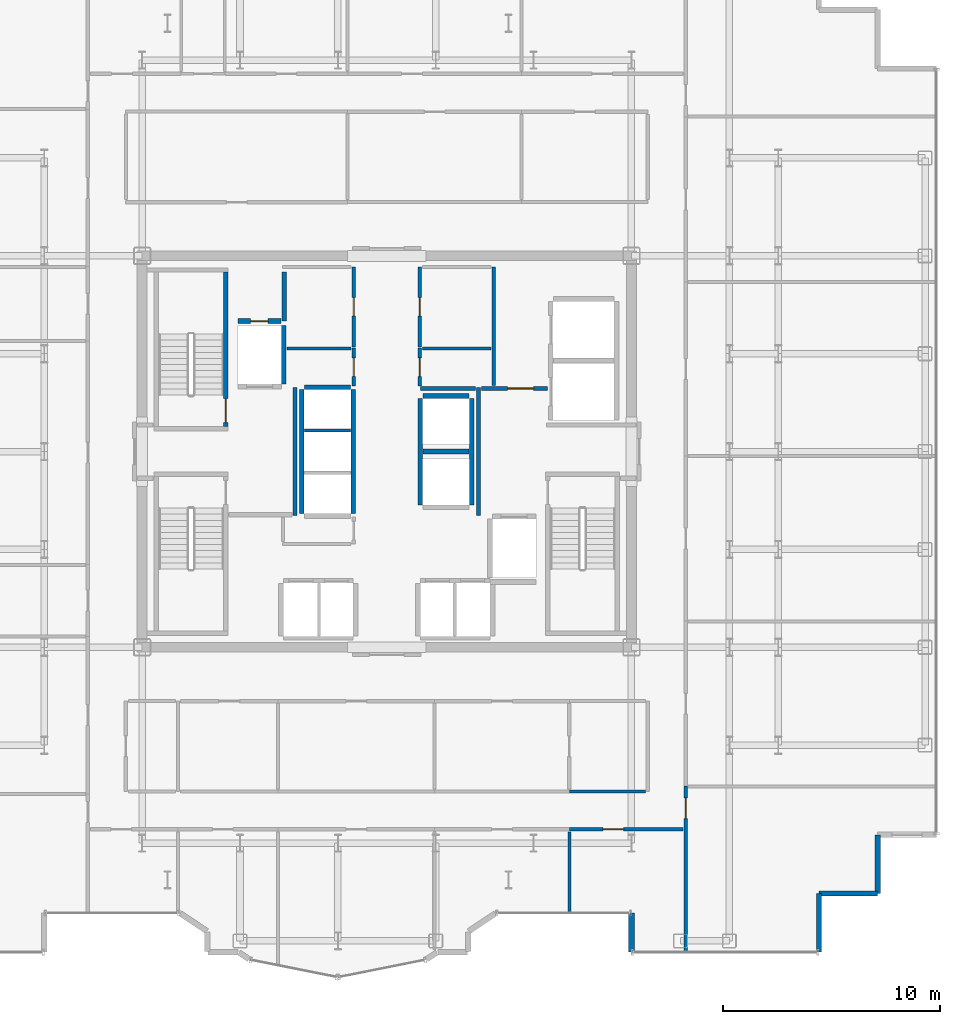
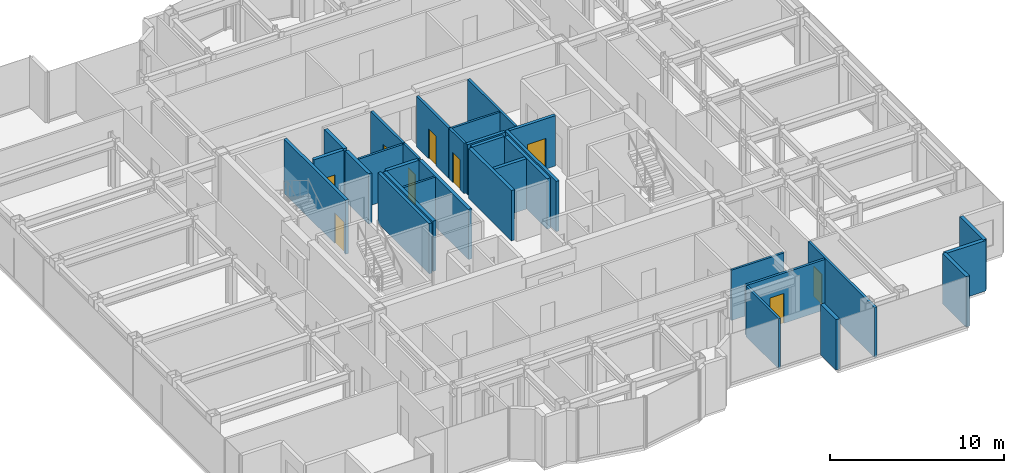
# One storey, part 16 of 20: 31 walls, 9 doors, 9 openings.
"""IFC4 building model written with IfcOpenShell, lengths in metres."""

from ifc_helpers import new_model, si_unit, direction, frame, frame_2d, origin, place, context, subcontext, project, spatial, rectangle, extrude, source, transform, mapped, material, layer, layer_set, type_object, element, fill, save


model = new_model("IFC4")

# Units and contexts
model_context = context("Model", 3, precision=1e-05, world=origin(), true_north=direction((0.0, 1.0)))
body_context = subcontext(model_context, "Body", "Model", "MODEL_VIEW")
ifc_project = project(units=[si_unit("LENGTHUNIT", "METRE"), si_unit("AREAUNIT", "SQUARE_METRE"), si_unit("VOLUMEUNIT", "CUBIC_METRE"), si_unit("PLANEANGLEUNIT", "RADIAN"), si_unit("MASSUNIT", "GRAM", prefix="KILO")], contexts=[model_context])

# Site, building, storey
site_placement = place(None, origin())
site = spatial("IfcSite", under=ifc_project, at=site_placement, CompositionType="ELEMENT")
building_placement = place(site_placement, origin())
building = spatial("IfcBuilding", under=site, at=building_placement, Name="Nefas-Gora Pilgrimage Tower", CompositionType="ELEMENT")
storey_placement = place(building_placement, frame((0.0, 0.0, 237.0)))
storey = spatial("IfcBuildingStorey", under=building, at=storey_placement, Name="L59", CompositionType="ELEMENT", Elevation=237.0)

# Walls
ifc_material_1 = material(Name="Precast concrete C40/50", Category="concrete")
ifc_layer_1 = layer(ifc_material_1, 0.260009765625)
ifc_layer_set_1 = layer_set([ifc_layer_1], Name="Precast concrete C40/50")
wall_type_1 = type_object("IfcWallType", Name="EW-PORTAL-260", PredefinedType="SOLIDWALL", material=ifc_layer_set_1)
shared_shape_1 = source(origin(), body_context, "Body", "SweptSolid", [
    extrude(rectangle(XDim=1.800048828125, YDim=0.260009765625, at=frame_2d((0.89990234375, 0.0))), origin(), (0.0, 0.0, 1.0), 3.550048828125),
])
wall_1_placement = place(storey_placement, frame((11.25, -21.219970703125, 0.0), z_axis=(0.0, 0.0, 1.0), x_axis=(0.0, -1.0, 0.0)))
element("IfcWall", 1, at=wall_1_placement, inside=storey, type_object=wall_type_1, Name="L59 Lobe Shoulder Precast Spandrel Pier 1", PredefinedType="SOLIDWALL", context=body_context, shape_type="MappedRepresentation", body=[
    mapped(shared_shape_1, transform((0.0, 0.0, 0.0), x_axis=(1.0, 0.0, 0.0), y_axis=(0.0, 1.0, 0.0), z_axis=(0.0, 0.0, 1.0), scale=1.0)),
])
ifc_material_2 = material(Name="Precast concrete C45/55", Category="concrete")
ifc_layer_2 = layer(ifc_material_2, 0.239990234375)
ifc_layer_set_2 = layer_set([ifc_layer_2], Name="Precast concrete C45/55")
wall_type_2 = type_object("IfcWallType", Name="EW-SERR-240", PredefinedType="SHEAR", material=ifc_layer_set_2)
shared_shape_2 = source(origin(), body_context, "Body", "SweptSolid", [
    extrude(rectangle(XDim=2.699951171875, YDim=0.239990234375, at=frame_2d((1.35009765625, 0.0))), origin(), (0.0, 0.0, 1.0), 3.550048828125),
])
for number, where, z_axis, x_axis, name in (
    (2, (19.8701171875, -23.02001953125, 0.0), (0.0, 0.0, 1.0), (0.0, 1.0, 0.0), "L59 Serrated Corner Shear Pier Wall 2"),
    (3, (19.8701171875, -20.320068359375, 0.0), (0.0, 0.0, 1.0), (1.0, 0.0, 0.0), "L59 Serrated Corner Shear Pier Wall 3"),
    (4, (22.570068359375, -20.320068359375, 0.0), (0.0, 0.0, 1.0), (0.0, 1.0, 0.0), "L59 Serrated Corner Shear Pier Wall 4"),
):
    element("IfcWall", number, at=place(storey_placement, frame(where, z_axis=z_axis, x_axis=x_axis)), inside=storey, type_object=wall_type_2, Name=name, PredefinedType="SHEAR", context=body_context, shape_type="MappedRepresentation", body=[
        mapped(shared_shape_2, transform((0.0, 0.0, 0.0), x_axis=(1.0, 0.0, 0.0), y_axis=(0.0, 1.0, 0.0), z_axis=(0.0, 0.0, 1.0), scale=1.0)),
    ])

# Wall, opening, door
ifc_material_3 = material(Name="Concrete C45/55", Category="concrete")
ifc_layer_3 = layer(ifc_material_3, 0.199951171875)
ifc_layer_set_3 = layer_set([ifc_layer_3], Name="Concrete C45/55")
wall_type_3 = type_object("IfcWallType", Name="IW-STAIR-200", PredefinedType="SOLIDWALL", material=ifc_layer_set_3)
shared_shape_3 = source(origin(), body_context, "Body", "SweptSolid", [
    extrude(rectangle(XDim=7.10009765625, YDim=0.199951171875, at=frame_2d((3.550048828125, 0.0))), origin(), (0.0, 0.0, 1.0), 3.800048828125),
])
wall_2_placement = place(storey_placement, frame((-7.39990234375, 1.14990234375, 0.0), z_axis=(0.0, 0.0, 1.0), x_axis=(0.0, 1.0, 0.0)))
wall_2 = element("IfcWall", 5, at=wall_2_placement, inside=storey, type_object=wall_type_3, Name="L59 Stairwell Shear Wall ST-01-left", PredefinedType="SOLIDWALL", context=body_context, shape_type="MappedRepresentation", body=[
    mapped(shared_shape_3, transform((0.0, 0.0, 0.0), x_axis=(1.0, 0.0, 0.0), y_axis=(0.0, 1.0, 0.0), z_axis=(0.0, 0.0, 1.0), scale=1.0)),
])
opening_1_placement = place(wall_2_placement, frame((0.179931640625, 0.0, 0.0)))
opening_1 = element("IfcOpeningElement", 6, at=opening_1_placement, cuts=wall_2, Name="Opening ID-ST1", PredefinedType="OPENING", context=body_context, shape_type="SweptSolid", body=[
    extrude(rectangle(XDim=1.10009765625, YDim=2.14990234375, at=frame_2d((0.550048828125, 1.074951171875))), frame((0.0, 0.10986328125, 0.0), z_axis=(0.0, -1.0, 0.0), x_axis=(1.0, 0.0, 0.0)), (0.0, 0.0, 1.0), 0.219970703125),
])
ifc_material_4 = material(Name="Painted galvanised steel fire stair door", Category="steel")
door_type_1 = type_object("IfcDoorType", Name="DR-INT-STAIR-1100", OperationType="NOTDEFINED", PredefinedType="DOOR", material=ifc_material_4)
shared_shape_4 = source(origin(), body_context, "Body", "SweptSolid", [
    extrude(rectangle(XDim=1.10009765625, YDim=2.14990234375, at=frame_2d((0.550048828125, 1.074951171875))), frame((0.0, 0.02490234375, 0.0), z_axis=(0.0, -1.0, 0.0), x_axis=(1.0, 0.0, 0.0)), (0.0, 0.0, 1.0), 0.050048828125),
])
door_1_placement = place(opening_1_placement, origin())
door_1 = element("IfcDoor", 7, at=door_1_placement, inside=storey, type_object=door_type_1, Name="L59 Protected Exit Stair Door ST-01", OperationType="SINGLE_SWING_LEFT", OverallHeight=2.14990234375, OverallWidth=1.10009765625, PredefinedType="DOOR", context=body_context, shape_type="MappedRepresentation", body=[
    mapped(shared_shape_4, transform((0.0, 0.0, 0.0), x_axis=(1.0, 0.0, 0.0), y_axis=(0.0, 1.0, 0.0), z_axis=(0.0, 0.0, 1.0), scale=1.0)),
])
fill(opening_1, door_1)

# Walls
ifc_material_5 = material(Name="Concrete C40/50", Category="concrete")
ifc_layer_4 = layer(ifc_material_5, 0.219970703125)
ifc_layer_set_4 = layer_set([ifc_layer_4], Name="Concrete C40/50")
wall_type_4 = type_object("IfcWallType", Name="IW-SHAFT-220", PredefinedType="SOLIDWALL", material=ifc_layer_set_4)
shared_shape_5 = source(origin(), body_context, "Body", "SweptSolid", [
    extrude(rectangle(XDim=2.679931640625, YDim=0.219970703125, at=frame_2d((1.33984375, 0.0))), origin(), (0.0, 0.0, 1.0), 3.534912109375),
])
wall_3_placement = place(storey_placement, frame((-4.739990234375, 3.110107421875, 0.0), z_axis=(0.0, 0.0, 1.0), x_axis=(0.0, 1.0, 0.0)))
element("IfcWall", 8, at=wall_3_placement, inside=storey, type_object=wall_type_4, Name="L59 Hoistway Wall FFL-01-E", PredefinedType="SOLIDWALL", context=body_context, shape_type="MappedRepresentation", body=[
    mapped(shared_shape_5, transform((0.0, 0.0, 0.0), x_axis=(1.0, 0.0, 0.0), y_axis=(0.0, 1.0, 0.0), z_axis=(0.0, 0.0, 1.0), scale=1.0)),
])
shared_shape_6 = source(origin(), body_context, "Body", "SweptSolid", [
    extrude(rectangle(XDim=5.7001953125, YDim=0.219970703125, at=frame_2d((2.85009765625, 0.0))), origin(), (0.0, 0.0, 1.0), 3.534912109375),
])
for number, where, z_axis, x_axis, name in (
    (9, (-1.5400390625, -2.85009765625, 0.0), (0.0, 0.0, 1.0), (0.0, 1.0, 0.0), "L59 Hoistway Wall PL3-01-03-E"),
    (10, (-3.909912109375, 2.85009765625, 0.0), (0.0, 0.0, 1.0), (0.0, -1.0, 0.0), "L59 Hoistway Wall PL3-01-03-W"),
):
    element("IfcWall", number, at=place(storey_placement, frame(where, z_axis=z_axis, x_axis=x_axis)), inside=storey, type_object=wall_type_4, Name=name, PredefinedType="SOLIDWALL", context=body_context, shape_type="MappedRepresentation", body=[
        mapped(shared_shape_6, transform((0.0, 0.0, 0.0), x_axis=(1.0, 0.0, 0.0), y_axis=(0.0, 1.0, 0.0), z_axis=(0.0, 0.0, 1.0), scale=1.0)),
    ])
shared_shape_7 = source(origin(), body_context, "Body", "SweptSolid", [
    extrude(rectangle(XDim=2.130126953125, YDim=0.219970703125, at=frame_2d((1.06494140625, 0.0))), origin(), (0.0, 0.0, 1.0), 3.534912109375),
])
for number, where, z_axis, x_axis, name in (
    (11, (-1.659912109375, 2.9599609375, 0.0), (0.0, 0.0, 1.0), (-1.0, 0.0, 0.0), "L59 Hoistway Wall PL3-03-N"),
    (12, (1.659912109375, 0.0, 0.0), (0.0, 0.0, 1.0), (1.0, 0.0, 0.0), "L59 Hoistway Wall OBS-01-02-DIV"),
    (13, (3.7900390625, 2.56005859375, 0.0), (0.0, 0.0, 1.0), (-1.0, 0.0, 0.0), "L59 Hoistway Wall OBS-02-N"),
):
    element("IfcWall", number, at=place(storey_placement, frame(where, z_axis=z_axis, x_axis=x_axis)), inside=storey, type_object=wall_type_4, Name=name, PredefinedType="SOLIDWALL", context=body_context, shape_type="MappedRepresentation", body=[
        mapped(shared_shape_7, transform((0.0, 0.0, 0.0), x_axis=(1.0, 0.0, 0.0), y_axis=(0.0, 1.0, 0.0), z_axis=(0.0, 0.0, 1.0), scale=1.0)),
    ])
ifc_material_6 = material(Name="Gypsum twin-stud partition")
ifc_layer_5 = layer(ifc_material_6, 0.139892578125)
ifc_layer_set_5 = layer_set([ifc_layer_5], Name="Gypsum twin-stud partition")
wall_type_5 = type_object("IfcWallType", Name="IW-UNIT-140", PredefinedType="PARTITIONING", material=ifc_layer_set_5)
shared_shape_8 = source(origin(), body_context, "Body", "SweptSolid", [
    extrude(rectangle(XDim=2.130126953125, YDim=0.139892578125, at=frame_2d((1.06494140625, 0.0))), origin(), (0.0, 0.0, 1.0), 3.534912109375),
])
wall_4_placement = place(storey_placement, frame((-3.7900390625, 0.97509765625, 0.0), z_axis=(0.0, 0.0, 1.0), x_axis=(1.0, 0.0, 0.0)))
element("IfcWall", 14, at=wall_4_placement, inside=storey, type_object=wall_type_5, Name="L59 Hoistway Wall PL3-02-03-DIV", PredefinedType="PARTITIONING", context=body_context, shape_type="MappedRepresentation", body=[
    mapped(shared_shape_8, transform((0.0, 0.0, 0.0), x_axis=(1.0, 0.0, 0.0), y_axis=(0.0, 1.0, 0.0), z_axis=(0.0, 0.0, 1.0), scale=1.0)),
])
shared_shape_9 = source(origin(), body_context, "Body", "SweptSolid", [
    extrude(rectangle(XDim=4.89990234375, YDim=0.219970703125, at=frame_2d((2.449951171875, 0.0))), origin(), (0.0, 0.0, 1.0), 3.534912109375),
])
for number, where, z_axis, x_axis, name in (
    (15, (1.5400390625, 2.449951171875, 0.0), (0.0, 0.0, 1.0), (0.0, -1.0, 0.0), "L59 Hoistway Wall OBS-01-02-W"),
    (16, (3.909912109375, -2.449951171875, 0.0), (0.0, 0.0, 1.0), (0.0, 1.0, 0.0), "L59 Hoistway Wall OBS-01-02-E"),
):
    element("IfcWall", number, at=place(storey_placement, frame(where, z_axis=z_axis, x_axis=x_axis)), inside=storey, type_object=wall_type_4, Name=name, PredefinedType="SOLIDWALL", context=body_context, shape_type="MappedRepresentation", body=[
        mapped(shared_shape_9, transform((0.0, 0.0, 0.0), x_axis=(1.0, 0.0, 0.0), y_axis=(0.0, 1.0, 0.0), z_axis=(0.0, 0.0, 1.0), scale=1.0)),
    ])
ifc_material_7 = material(Name="Gypsum fire-rated shaftwall")
ifc_layer_6 = layer(ifc_material_7, 0.199951171875)
ifc_layer_set_6 = layer_set([ifc_layer_6], Name="Gypsum fire-rated shaftwall")
wall_type_6 = type_object("IfcWallType", Name="IW-FFLOB-200", PredefinedType="PARTITIONING", material=ifc_layer_set_6)
shared_shape_10 = source(origin(), body_context, "Body", "SweptSolid", [
    extrude(rectangle(XDim=5.89990234375, YDim=0.199951171875, at=frame_2d((2.949951171875, 0.0))), origin(), (0.0, 0.0, 1.0), 3.534912109375),
])
for number, where, z_axis, x_axis, name in (
    (17, (-4.219970703125, -2.949951171875, 0.0), (0.0, 0.0, 1.0), (0.0, 1.0, 0.0), "L59 FF Lobby West Inner Wall Wall 5"),
    (18, (4.219970703125, -2.949951171875, 0.0), (0.0, 0.0, 1.0), (0.0, 1.0, 0.0), "L59 FF Lobby East Inner Wall Wall 10"),
):
    element("IfcWall", number, at=place(storey_placement, frame(where, z_axis=z_axis, x_axis=x_axis)), inside=storey, type_object=wall_type_6, Name=name, PredefinedType="PARTITIONING", context=body_context, shape_type="MappedRepresentation", body=[
        mapped(shared_shape_10, transform((0.0, 0.0, 0.0), x_axis=(1.0, 0.0, 0.0), y_axis=(0.0, 1.0, 0.0), z_axis=(0.0, 0.0, 1.0), scale=1.0)),
    ])

# Wall, opening, door
shared_shape_11 = source(origin(), body_context, "Body", "SweptSolid", [
    extrude(rectangle(XDim=3.039794921875, YDim=0.199951171875, at=frame_2d((1.52001953125, 0.0))), origin(), (0.0, 0.0, 1.0), 3.534912109375),
])
wall_5_placement = place(storey_placement, frame((4.360107421875, 2.89990234375, 0.0), z_axis=(0.0, 0.0, 1.0), x_axis=(1.0, 0.0, 0.0)))
wall_5 = element("IfcWall", 19, at=wall_5_placement, inside=storey, type_object=wall_type_6, Name="L59 FF Lobby East North Wall Wall 12", PredefinedType="PARTITIONING", context=body_context, shape_type="MappedRepresentation", body=[
    mapped(shared_shape_11, transform((0.0, 0.0, 0.0), x_axis=(1.0, 0.0, 0.0), y_axis=(0.0, 1.0, 0.0), z_axis=(0.0, 0.0, 1.0), scale=1.0)),
])
opening_2_placement = place(wall_5_placement, frame((1.18994140625, 0.0, 0.0)))
opening_2 = element("IfcOpeningElement", 20, at=opening_2_placement, cuts=wall_5, Name="Opening ID-PL1", PredefinedType="OPENING", context=body_context, shape_type="SweptSolid", body=[
    extrude(rectangle(XDim=1.199951171875, YDim=2.14990234375, at=frame_2d((0.60009765625, 1.074951171875))), frame((0.0, 0.10986328125, 0.0), z_axis=(0.0, -1.0, 0.0), x_axis=(1.0, 0.0, 0.0)), (0.0, 0.0, 1.0), 0.219970703125),
])
ifc_material_8 = material(Name="Heavy-duty steel plant room fire door", Category="steel")
door_type_2 = type_object("IfcDoorType", Name="DR-INT-PLANT-1200", OperationType="NOTDEFINED", PredefinedType="DOOR", material=ifc_material_8)
shared_shape_12 = source(origin(), body_context, "Body", "SweptSolid", [
    extrude(rectangle(XDim=1.199951171875, YDim=2.14990234375, at=frame_2d((0.60009765625, 1.074951171875))), frame((0.0, 0.02490234375, 0.0), z_axis=(0.0, -1.0, 0.0), x_axis=(1.0, 0.0, 0.0)), (0.0, 0.0, 1.0), 0.050048828125),
])
door_2_placement = place(opening_2_placement, origin())
door_2 = element("IfcDoor", 21, at=door_2_placement, inside=storey, type_object=door_type_2, Name="L59 Service Lift Lobby Door Door 4", OperationType="SINGLE_SWING_RIGHT", OverallHeight=2.14990234375, OverallWidth=1.199951171875, PredefinedType="DOOR", context=body_context, shape_type="MappedRepresentation", body=[
    mapped(shared_shape_12, transform((0.0, 0.0, 0.0), x_axis=(1.0, 0.0, 0.0), y_axis=(0.0, 1.0, 0.0), z_axis=(0.0, 0.0, 1.0), scale=1.0)),
])
fill(opening_2, door_2)

# Wall
shared_shape_13 = source(origin(), body_context, "Body", "SweptSolid", [
    extrude(rectangle(XDim=2.9501953125, YDim=0.139892578125, at=frame_2d((1.47509765625, 0.0))), origin(), (0.0, 0.0, 1.0), 3.534912109375),
])
wall_6_placement = place(storey_placement, frame((-4.590087890625, 4.75, 0.0), z_axis=(0.0, 0.0, 1.0), x_axis=(1.0, 0.0, 0.0)))
element("IfcWall", 22, at=wall_6_placement, inside=storey, type_object=wall_type_5, Name="L59 Housekeeping and Linen Store Partition Wall 19", PredefinedType="PARTITIONING", context=body_context, shape_type="MappedRepresentation", body=[
    mapped(shared_shape_13, transform((0.0, 0.0, 0.0), x_axis=(1.0, 0.0, 0.0), y_axis=(0.0, 1.0, 0.0), z_axis=(0.0, 0.0, 1.0), scale=1.0)),
])

# Wall, opening, door
ifc_material_9 = material(Name="Gypsum acoustic stud partition")
ifc_layer_7 = layer(ifc_material_9, 0.159912109375)
ifc_layer_set_7 = layer_set([ifc_layer_7], Name="Gypsum acoustic stud partition")
wall_type_7 = type_object("IfcWallType", Name="IW-CORR-160", PredefinedType="PARTITIONING", material=ifc_layer_set_7)
shared_shape_14 = source(origin(), body_context, "Body", "SweptSolid", [
    extrude(rectangle(XDim=5.22509765625, YDim=0.159912109375, at=frame_2d((2.612548828125, 0.0))), origin(), (0.0, 0.0, 1.0), 3.534912109375),
])
wall_7_placement = place(storey_placement, frame((8.39501953125, -17.3701171875, 0.0), z_axis=(0.0, 0.0, 1.0), x_axis=(1.0, 0.0, 0.0)))
wall_7 = element("IfcWall", 23, at=wall_7_placement, inside=storey, type_object=wall_type_7, Name="L59 Pilgrim Contemplative Lounge Partition Wall 93", PredefinedType="PARTITIONING", context=body_context, shape_type="MappedRepresentation", body=[
    mapped(shared_shape_14, transform((0.0, 0.0, 0.0), x_axis=(1.0, 0.0, 0.0), y_axis=(0.0, 1.0, 0.0), z_axis=(0.0, 0.0, 1.0), scale=1.0)),
])
opening_3_placement = place(wall_7_placement, frame((1.543212890625, 0.0, 0.0)))
opening_3 = element("IfcOpeningElement", 24, at=opening_3_placement, cuts=wall_7, Name="Opening ID-GR1", PredefinedType="OPENING", context=body_context, shape_type="SweptSolid", body=[
    extrude(rectangle(XDim=0.949951171875, YDim=2.10009765625, at=frame_2d((0.47509765625, 1.050048828125))), frame((0.0, 0.08984375, 0.0), z_axis=(0.0, -1.0, 0.0), x_axis=(1.0, 0.0, 0.0)), (0.0, 0.0, 1.0), 0.179931640625),
])
ifc_material_10 = material(Name="Solid core oak fire-rated guest entrance door")
door_type_3 = type_object("IfcDoorType", Name="DR-INT-GUEST-950", OperationType="NOTDEFINED", PredefinedType="DOOR", material=ifc_material_10)
shared_shape_15 = source(origin(), body_context, "Body", "SweptSolid", [
    extrude(rectangle(XDim=0.949951171875, YDim=2.10009765625, at=frame_2d((0.47509765625, 1.050048828125))), frame((0.0, 0.02490234375, 0.0), z_axis=(0.0, -1.0, 0.0), x_axis=(1.0, 0.0, 0.0)), (0.0, 0.0, 1.0), 0.050048828125),
])
door_3_placement = place(opening_3_placement, origin())
door_3 = element("IfcDoor", 25, at=door_3_placement, inside=storey, type_object=door_type_3, Name="L59 Pilgrim Contemplative Lounge Door 42", OperationType="SINGLE_SWING_RIGHT", OverallHeight=2.10009765625, OverallWidth=0.949951171875, PredefinedType="DOOR", context=body_context, shape_type="MappedRepresentation", body=[
    mapped(shared_shape_15, transform((0.0, 0.0, 0.0), x_axis=(1.0, 0.0, 0.0), y_axis=(0.0, 1.0, 0.0), z_axis=(0.0, 0.0, 1.0), scale=1.0)),
])
fill(opening_3, door_3)

# Walls
shared_shape_16 = source(origin(), body_context, "Body", "SweptSolid", [
    extrude(rectangle(XDim=3.150146484375, YDim=0.139892578125, at=frame_2d((1.5751953125, 0.0))), origin(), (0.0, 0.0, 1.0), 3.534912109375),
])
wall_8_placement = place(storey_placement, frame((1.639892578125, 4.75, 0.0), z_axis=(0.0, 0.0, 1.0), x_axis=(1.0, 0.0, 0.0)))
element("IfcWall", 26, at=wall_8_placement, inside=storey, type_object=wall_type_5, Name="L59 Clean Blanket and Robe Store Partition Wall 23", PredefinedType="PARTITIONING", context=body_context, shape_type="MappedRepresentation", body=[
    mapped(shared_shape_16, transform((0.0, 0.0, 0.0), x_axis=(1.0, 0.0, 0.0), y_axis=(0.0, 1.0, 0.0), z_axis=(0.0, 0.0, 1.0), scale=1.0)),
])
shared_shape_17 = source(origin(), body_context, "Body", "SweptSolid", [
    extrude(rectangle(XDim=3.75, YDim=0.139892578125, at=frame_2d((1.875, 0.0))), origin(), (0.0, 0.0, 1.0), 3.534912109375),
])
wall_9_placement = place(storey_placement, frame((8.39501953125, -21.239990234375, 0.0), z_axis=(0.0, 0.0, 1.0), x_axis=(0.0, 1.0, 0.0)))
element("IfcWall", 27, at=wall_9_placement, inside=storey, type_object=wall_type_5, Name="L59 Pilgrim Contemplative Lounge Partition Wall 89", PredefinedType="PARTITIONING", context=body_context, shape_type="MappedRepresentation", body=[
    mapped(shared_shape_17, transform((0.0, 0.0, 0.0), x_axis=(1.0, 0.0, 0.0), y_axis=(0.0, 1.0, 0.0), z_axis=(0.0, 0.0, 1.0), scale=1.0)),
])
shared_shape_18 = source(origin(), body_context, "Body", "SweptSolid", [
    extrude(rectangle(XDim=3.494873046875, YDim=0.139892578125, at=frame_2d((1.74755859375, 0.0))), origin(), (0.0, 0.0, 1.0), 3.534912109375),
])
wall_10_placement = place(storey_placement, frame((8.39501953125, -15.6298828125, 0.0), z_axis=(0.0, 0.0, 1.0), x_axis=(1.0, 0.0, 0.0)))
element("IfcWall", 28, at=wall_10_placement, inside=storey, type_object=wall_type_5, Name="L59 Pilgrim Contemplative Lounge Partition Wall 96", PredefinedType="PARTITIONING", context=body_context, shape_type="MappedRepresentation", body=[
    mapped(shared_shape_18, transform((0.0, 0.0, 0.0), x_axis=(1.0, 0.0, 0.0), y_axis=(0.0, 1.0, 0.0), z_axis=(0.0, 0.0, 1.0), scale=1.0)),
])
shared_shape_19 = source(origin(), body_context, "Body", "SweptSolid", [
    extrude(rectangle(XDim=2.25, YDim=0.219970703125, at=frame_2d((1.125, 0.0))), origin(), (0.0, 0.0, 1.0), 3.534912109375),
])
wall_11_placement = place(storey_placement, frame((-4.719970703125, 6.0, 0.0), z_axis=(0.0, 0.0, 1.0), x_axis=(0.0, 1.0, 0.0)))
element("IfcWall", 29, at=wall_11_placement, inside=storey, type_object=wall_type_4, Name="L59 Riser Shaft Wall 1", PredefinedType="SOLIDWALL", context=body_context, shape_type="MappedRepresentation", body=[
    mapped(shared_shape_19, transform((0.0, 0.0, 0.0), x_axis=(1.0, 0.0, 0.0), y_axis=(0.0, 1.0, 0.0), z_axis=(0.0, 0.0, 1.0), scale=1.0)),
])

# Wall, opening, door
shared_shape_20 = source(origin(), body_context, "Body", "SweptSolid", [
    extrude(rectangle(XDim=1.97998046875, YDim=0.219970703125, at=frame_2d((0.989990234375, 0.0))), origin(), (0.0, 0.0, 1.0), 3.534912109375),
])
wall_12_placement = place(storey_placement, frame((-6.85009765625, 6.0, 0.0), z_axis=(0.0, 0.0, 1.0), x_axis=(1.0, 0.0, 0.0)))
wall_12 = element("IfcWall", 30, at=wall_12_placement, inside=storey, type_object=wall_type_4, Name="L59 Riser Shaft Wall 2", PredefinedType="SOLIDWALL", context=body_context, shape_type="MappedRepresentation", body=[
    mapped(shared_shape_20, transform((0.0, 0.0, 0.0), x_axis=(1.0, 0.0, 0.0), y_axis=(0.0, 1.0, 0.0), z_axis=(0.0, 0.0, 1.0), scale=1.0)),
])
opening_4_placement = place(wall_12_placement, frame((0.590087890625, 0.0, 0.0)))
opening_4 = element("IfcOpeningElement", 31, at=opening_4_placement, cuts=wall_12, Name="Opening ID-TR1", PredefinedType="OPENING", context=body_context, shape_type="SweptSolid", body=[
    extrude(rectangle(XDim=0.800048828125, YDim=2.0, at=frame_2d((0.39990234375, 1.0))), frame((0.0, 0.119873046875, 0.0), z_axis=(0.0, -1.0, 0.0), x_axis=(1.0, 0.0, 0.0)), (0.0, 0.0, 1.0), 0.239990234375),
])
ifc_material_11 = material(Name="Riser maintenance fire access door")
door_type_4 = type_object("IfcDoorType", Name="DR-INT-TRAP-800", OperationType="NOTDEFINED", PredefinedType="TRAPDOOR", material=ifc_material_11)
shared_shape_21 = source(origin(), body_context, "Body", "SweptSolid", [
    extrude(rectangle(XDim=0.800048828125, YDim=2.0, at=frame_2d((0.39990234375, 1.0))), frame((0.0, 0.02490234375, 0.0), z_axis=(0.0, -1.0, 0.0), x_axis=(1.0, 0.0, 0.0)), (0.0, 0.0, 1.0), 0.050048828125),
])
door_4_placement = place(opening_4_placement, origin())
door_4 = element("IfcDoor", 32, at=door_4_placement, inside=storey, type_object=door_type_4, Name="L59 Riser Shaft Door 1", OperationType="SINGLE_SWING_LEFT", OverallHeight=2.0, OverallWidth=0.800048828125, PredefinedType="TRAPDOOR", context=body_context, shape_type="MappedRepresentation", body=[
    mapped(shared_shape_21, transform((0.0, 0.0, 0.0), x_axis=(1.0, 0.0, 0.0), y_axis=(0.0, 1.0, 0.0), z_axis=(0.0, 0.0, 1.0), scale=1.0)),
])
fill(opening_4, door_4)

# Walls
shared_shape_22 = source(origin(), body_context, "Body", "SweptSolid", [
    extrude(rectangle(XDim=2.52001953125, YDim=0.199951171875, at=frame_2d((1.260009765625, 0.0))), origin(), (0.0, 0.0, 1.0), 3.534912109375),
])
wall_13_placement = place(storey_placement, frame((1.56005859375, 2.89990234375, 0.0), z_axis=(0.0, 0.0, 1.0), x_axis=(1.0, 0.0, 0.0)))
element("IfcWall", 33, at=wall_13_placement, inside=storey, type_object=wall_type_6, Name="L59 FF Lobby East North Wall Wall 11", PredefinedType="PARTITIONING", context=body_context, shape_type="MappedRepresentation", body=[
    mapped(shared_shape_22, transform((0.0, 0.0, 0.0), x_axis=(1.0, 0.0, 0.0), y_axis=(0.0, 1.0, 0.0), z_axis=(0.0, 0.0, 1.0), scale=1.0)),
])
shared_shape_23 = source(origin(), body_context, "Body", "SweptSolid", [
    extrude(rectangle(XDim=5.449951171875, YDim=0.159912109375, at=frame_2d((2.72509765625, 0.0))), origin(), (0.0, 0.0, 1.0), 3.534912109375),
])
wall_14_placement = place(storey_placement, frame((4.919921875, 3.0400390625, 0.0), z_axis=(0.0, 0.0, 1.0), x_axis=(0.0, 1.0, 0.0)))
element("IfcWall", 34, at=wall_14_placement, inside=storey, type_object=wall_type_7, Name="L59 Service Lift Lobby West Wall Wall 17", PredefinedType="PARTITIONING", context=body_context, shape_type="MappedRepresentation", body=[
    mapped(shared_shape_23, transform((0.0, 0.0, 0.0), x_axis=(1.0, 0.0, 0.0), y_axis=(0.0, 1.0, 0.0), z_axis=(0.0, 0.0, 1.0), scale=1.0)),
])

# Wall, opening, door
shared_shape_24 = source(origin(), body_context, "Body", "SweptSolid", [
    extrude(rectangle(XDim=1.75, YDim=0.159912109375, at=frame_2d((0.875, 0.0))), origin(), (0.0, 0.0, 1.0), 3.534912109375),
])
wall_15_placement = place(storey_placement, frame((-1.52001953125, 3.010009765625, 0.0), z_axis=(0.0, 0.0, 1.0), x_axis=(0.0, 1.0, 0.0)))
wall_15 = element("IfcWall", 35, at=wall_15_placement, inside=storey, type_object=wall_type_7, Name="L59 Housekeeping and Linen Store Wall 18", PredefinedType="PARTITIONING", context=body_context, shape_type="MappedRepresentation", body=[
    mapped(shared_shape_24, transform((0.0, 0.0, 0.0), x_axis=(1.0, 0.0, 0.0), y_axis=(0.0, 1.0, 0.0), z_axis=(0.0, 0.0, 1.0), scale=1.0)),
])
opening_5_placement = place(wall_15_placement, frame((0.449951171875, 0.0, 0.0)))
opening_5 = element("IfcOpeningElement", 36, at=opening_5_placement, cuts=wall_15, Name="Opening ID-BT1", PredefinedType="OPENING", context=body_context, shape_type="SweptSolid", body=[
    extrude(rectangle(XDim=0.85009765625, YDim=2.10009765625, at=frame_2d((0.425048828125, 1.050048828125))), frame((0.0, 0.08984375, 0.0), z_axis=(0.0, -1.0, 0.0), x_axis=(1.0, 0.0, 0.0)), (0.0, 0.0, 1.0), 0.179931640625),
])
ifc_material_12 = material(Name="Moisture-resistant fire-rated timber door", Category="wood")
door_type_5 = type_object("IfcDoorType", Name="DR-INT-BATH-850", OperationType="NOTDEFINED", PredefinedType="DOOR", material=ifc_material_12)
shared_shape_25 = source(origin(), body_context, "Body", "SweptSolid", [
    extrude(rectangle(XDim=0.85009765625, YDim=2.10009765625, at=frame_2d((0.425048828125, 1.050048828125))), frame((0.0, 0.02490234375, 0.0), z_axis=(0.0, -1.0, 0.0), x_axis=(1.0, 0.0, 0.0)), (0.0, 0.0, 1.0), 0.050048828125),
])
door_5_placement = place(opening_5_placement, origin())
door_5 = element("IfcDoor", 37, at=door_5_placement, inside=storey, type_object=door_type_5, Name="L59 Housekeeping and Linen Store Door 7", OperationType="SINGLE_SWING_LEFT", OverallHeight=2.10009765625, OverallWidth=0.85009765625, PredefinedType="DOOR", context=body_context, shape_type="MappedRepresentation", body=[
    mapped(shared_shape_25, transform((0.0, 0.0, 0.0), x_axis=(1.0, 0.0, 0.0), y_axis=(0.0, 1.0, 0.0), z_axis=(0.0, 0.0, 1.0), scale=1.0)),
])
fill(opening_5, door_5)

wall_16_placement = place(storey_placement, frame((1.52001953125, 3.010009765625, 0.0), z_axis=(0.0, 0.0, 1.0), x_axis=(0.0, 1.0, 0.0)))
wall_16 = element("IfcWall", 38, at=wall_16_placement, inside=storey, type_object=wall_type_7, Name="L59 Clean Blanket and Robe Store Wall 22", PredefinedType="PARTITIONING", context=body_context, shape_type="MappedRepresentation", body=[
    mapped(shared_shape_24, transform((0.0, 0.0, 0.0), x_axis=(1.0, 0.0, 0.0), y_axis=(0.0, 1.0, 0.0), z_axis=(0.0, 0.0, 1.0), scale=1.0)),
])
opening_6_placement = place(wall_16_placement, frame((0.449951171875, 0.0, 0.0)))
opening_6 = element("IfcOpeningElement", 39, at=opening_6_placement, cuts=wall_16, Name="Opening ID-BT1", PredefinedType="OPENING", context=body_context, shape_type="SweptSolid", body=[
    extrude(rectangle(XDim=0.85009765625, YDim=2.10009765625, at=frame_2d((0.425048828125, 1.050048828125))), frame((0.0, 0.08984375, 0.0), z_axis=(0.0, -1.0, 0.0), x_axis=(1.0, 0.0, 0.0)), (0.0, 0.0, 1.0), 0.179931640625),
])
door_6_placement = place(opening_6_placement, origin())
door_6 = element("IfcDoor", 40, at=door_6_placement, inside=storey, type_object=door_type_5, Name="L59 Clean Blanket and Robe Store Door 9", OperationType="SINGLE_SWING_LEFT", OverallHeight=2.10009765625, OverallWidth=0.85009765625, PredefinedType="DOOR", context=body_context, shape_type="MappedRepresentation", body=[
    mapped(shared_shape_25, transform((0.0, 0.0, 0.0), x_axis=(1.0, 0.0, 0.0), y_axis=(0.0, 1.0, 0.0), z_axis=(0.0, 0.0, 1.0), scale=1.0)),
])
fill(opening_6, door_6)

shared_shape_26 = source(origin(), body_context, "Body", "SweptSolid", [
    extrude(rectangle(XDim=3.679931640625, YDim=0.159912109375, at=frame_2d((1.83984375, 0.0))), origin(), (0.0, 0.0, 1.0), 3.534912109375),
])
wall_17_placement = place(storey_placement, frame((-1.52001953125, 4.81005859375, 0.0), z_axis=(0.0, 0.0, 1.0), x_axis=(0.0, 1.0, 0.0)))
wall_17 = element("IfcWall", 41, at=wall_17_placement, inside=storey, type_object=wall_type_7, Name="L59 Archival Supply Store Wall 20", PredefinedType="PARTITIONING", context=body_context, shape_type="MappedRepresentation", body=[
    mapped(shared_shape_26, transform((0.0, 0.0, 0.0), x_axis=(1.0, 0.0, 0.0), y_axis=(0.0, 1.0, 0.0), z_axis=(0.0, 0.0, 1.0), scale=1.0)),
])
opening_7_placement = place(wall_17_placement, frame((1.4150390625, 0.0, 0.0)))
opening_7 = element("IfcOpeningElement", 42, at=opening_7_placement, cuts=wall_17, Name="Opening ID-BT1", PredefinedType="OPENING", context=body_context, shape_type="SweptSolid", body=[
    extrude(rectangle(XDim=0.85009765625, YDim=2.10009765625, at=frame_2d((0.425048828125, 1.050048828125))), frame((0.0, 0.08984375, 0.0), z_axis=(0.0, -1.0, 0.0), x_axis=(1.0, 0.0, 0.0)), (0.0, 0.0, 1.0), 0.179931640625),
])
door_7_placement = place(opening_7_placement, origin())
door_7 = element("IfcDoor", 43, at=door_7_placement, inside=storey, type_object=door_type_5, Name="L59 Archival Supply Store Door 8", OperationType="SINGLE_SWING_RIGHT", OverallHeight=2.10009765625, OverallWidth=0.85009765625, PredefinedType="DOOR", context=body_context, shape_type="MappedRepresentation", body=[
    mapped(shared_shape_25, transform((0.0, 0.0, 0.0), x_axis=(1.0, 0.0, 0.0), y_axis=(0.0, 1.0, 0.0), z_axis=(0.0, 0.0, 1.0), scale=1.0)),
])
fill(opening_7, door_7)

wall_18_placement = place(storey_placement, frame((1.52001953125, 4.81005859375, 0.0), z_axis=(0.0, 0.0, 1.0), x_axis=(0.0, 1.0, 0.0)))
wall_18 = element("IfcWall", 44, at=wall_18_placement, inside=storey, type_object=wall_type_7, Name="L59 Amenity Supply Store Wall 24", PredefinedType="PARTITIONING", context=body_context, shape_type="MappedRepresentation", body=[
    mapped(shared_shape_26, transform((0.0, 0.0, 0.0), x_axis=(1.0, 0.0, 0.0), y_axis=(0.0, 1.0, 0.0), z_axis=(0.0, 0.0, 1.0), scale=1.0)),
])
opening_8_placement = place(wall_18_placement, frame((1.4150390625, 0.0, 0.0)))
opening_8 = element("IfcOpeningElement", 45, at=opening_8_placement, cuts=wall_18, Name="Opening ID-BT1", PredefinedType="OPENING", context=body_context, shape_type="SweptSolid", body=[
    extrude(rectangle(XDim=0.85009765625, YDim=2.10009765625, at=frame_2d((0.425048828125, 1.050048828125))), frame((0.0, 0.08984375, 0.0), z_axis=(0.0, -1.0, 0.0), x_axis=(1.0, 0.0, 0.0)), (0.0, 0.0, 1.0), 0.179931640625),
])
door_8_placement = place(opening_8_placement, origin())
door_8 = element("IfcDoor", 46, at=door_8_placement, inside=storey, type_object=door_type_5, Name="L59 Amenity Supply Store Door 10", OperationType="SINGLE_SWING_RIGHT", OverallHeight=2.10009765625, OverallWidth=0.85009765625, PredefinedType="DOOR", context=body_context, shape_type="MappedRepresentation", body=[
    mapped(shared_shape_25, transform((0.0, 0.0, 0.0), x_axis=(1.0, 0.0, 0.0), y_axis=(0.0, 1.0, 0.0), z_axis=(0.0, 0.0, 1.0), scale=1.0)),
])
fill(opening_8, door_8)

shared_shape_27 = source(origin(), body_context, "Body", "SweptSolid", [
    extrude(rectangle(XDim=7.652587890625, YDim=0.159912109375, at=frame_2d((3.826171875, 0.0))), origin(), (0.0, 0.0, 1.0), 3.534912109375),
])
wall_19_placement = place(storey_placement, frame((13.739990234375, -23.0400390625, 0.0), z_axis=(0.0, 0.0, 1.0), x_axis=(0.0, 1.0, 0.0)))
wall_19 = element("IfcWall", 47, at=wall_19_placement, inside=storey, type_object=wall_type_7, Name="L59 Pilgrim Fellowship Seminar Room Partition Wall 45", PredefinedType="PARTITIONING", context=body_context, shape_type="MappedRepresentation", body=[
    mapped(shared_shape_27, transform((0.0, 0.0, 0.0), x_axis=(1.0, 0.0, 0.0), y_axis=(0.0, 1.0, 0.0), z_axis=(0.0, 0.0, 1.0), scale=1.0)),
])
opening_9_placement = place(wall_19_placement, frame((6.166259765625, 0.0, 0.0)))
opening_9 = element("IfcOpeningElement", 48, at=opening_9_placement, cuts=wall_19, Name="Opening ID-GR1", PredefinedType="OPENING", context=body_context, shape_type="SweptSolid", body=[
    extrude(rectangle(XDim=0.949951171875, YDim=2.10009765625, at=frame_2d((0.47509765625, 1.050048828125))), frame((0.0, 0.08984375, 0.0), z_axis=(0.0, -1.0, 0.0), x_axis=(1.0, 0.0, 0.0)), (0.0, 0.0, 1.0), 0.179931640625),
])
door_9_placement = place(opening_9_placement, origin())
door_9 = element("IfcDoor", 49, at=door_9_placement, inside=storey, type_object=door_type_3, Name="L59 Pilgrim Fellowship Seminar Room Door 20", OperationType="SINGLE_SWING_RIGHT", OverallHeight=2.10009765625, OverallWidth=0.949951171875, PredefinedType="DOOR", context=body_context, shape_type="MappedRepresentation", body=[
    mapped(shared_shape_15, transform((0.0, 0.0, 0.0), x_axis=(1.0, 0.0, 0.0), y_axis=(0.0, 1.0, 0.0), z_axis=(0.0, 0.0, 1.0), scale=1.0)),
])
fill(opening_9, door_9)

save(model, "model.ifc")
